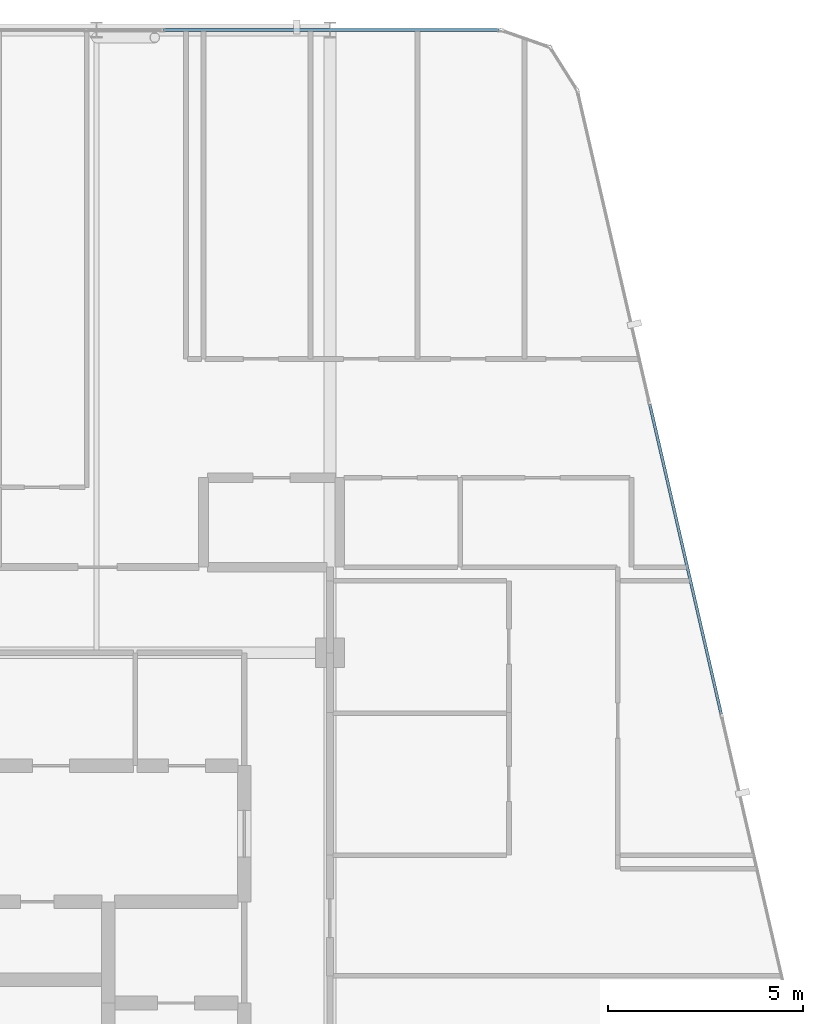
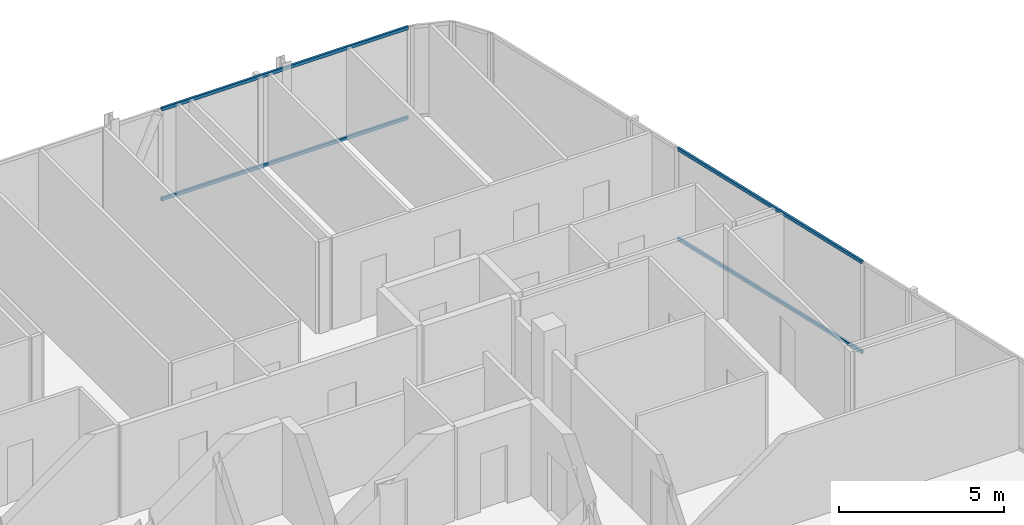
# One storey, part 18 of 28: 4 members, 2 elements without a shape of their own.
"""IFC4 building model written with IfcOpenShell, lengths in metres."""

import ifcopenshell
import ifcopenshell.guid

model = None  # the IFC model being written
_history = None  # IfcOwnerHistory: only IFC2X3 demands one
_inside = {}  # id of a spatial element -> (the spatial element, [elements in it])
_under = {}  # id of a project, library or spatial element -> (it, [spatial elements below it])
_declared = {}  # id of a project -> (the project, [libraries it declares])
_typed = {}  # id of a type object -> (the type object, [elements of that type])
_made_of = {}  # id of a material, layer set ... -> (it, [elements and type objects made of it])


def new_model(schema):
    """Start an empty IFC model of exactly this schema.

    Asked for "IFC4X3", IfcOpenShell would pick the latest addendum, in which some entities
    have other attributes; the version numbers below select the first issue.
    IFC2X3 requires an IfcOwnerHistory on every rooted entity: one is made here for all.
    """
    global model, _history
    if schema == "IFC4X3":
        model = ifcopenshell.file(schema_version=(4, 3, 0, 0))
    else:
        model = ifcopenshell.file(schema=schema)
    _inside.clear()
    _under.clear()
    _declared.clear()
    _typed.clear()
    _made_of.clear()
    _history = None
    if model.schema == "IFC2X3":
        org = make("IfcOrganization", Name="unknown")
        user = make(
            "IfcPersonAndOrganization",
            ThePerson=make("IfcPerson", FamilyName="unknown"),
            TheOrganization=org,
        )
        app = make(
            "IfcApplication",
            ApplicationDeveloper=org,
            Version="unknown",
            ApplicationFullName="unknown",
            ApplicationIdentifier="unknown",
        )
        _history = make(
            "IfcOwnerHistory",
            OwningUser=user,
            OwningApplication=app,
            ChangeAction="ADDED",
            CreationDate=0,
        )
    return model


def make(cls, **values):
    """One entity of the class cls with the attributes given. An attribute that is None is left unset."""
    return model.create_entity(
        cls, **{name: value for name, value in values.items() if value is not None}
    )


def rooted(cls, **values):
    """An entity with a GlobalId (a new one), such as an element, a storey or a relation."""
    return make(cls, GlobalId=ifcopenshell.guid.new(), OwnerHistory=_history, **values)


def si_unit(unit_type, name, prefix=None):
    """IfcSIUnit, for example si_unit("LENGTHUNIT", "METRE", prefix="MILLI")."""
    return make("IfcSIUnit", UnitType=unit_type, Prefix=prefix, Name=name)


def assignment(units):
    """IfcUnitAssignment: the units of a project."""
    return None if units is None else make("IfcUnitAssignment", Units=units)


def point(xyz):
    """IfcCartesianPoint."""
    return None if xyz is None else make("IfcCartesianPoint", Coordinates=xyz)


def direction(xyz):
    """IfcDirection."""
    return None if xyz is None else make("IfcDirection", DirectionRatios=xyz)


def frame(location, z_axis=None, x_axis=None):
    """IfcAxis2Placement3D, a coordinate frame: its origin and axes. An axis left out is left unset."""
    return make(
        "IfcAxis2Placement3D",
        Location=point(location),
        Axis=direction(z_axis),
        RefDirection=direction(x_axis),
    )


def frame_2d(location, x_axis=None):
    """IfcAxis2Placement2D, a coordinate frame in the plane: its origin and x axis."""
    return make(
        "IfcAxis2Placement2D", Location=point(location), RefDirection=direction(x_axis)
    )


def origin():
    """The frame at (0, 0, 0) with its axes left unset."""
    return frame((0.0, 0.0, 0.0))


def origin_2d():
    """The frame at (0, 0) in the plane with its x axis left unset."""
    return frame_2d((0.0, 0.0))


def place(relative_to, where):
    """IfcLocalPlacement: puts the frame where relative to a parent placement (None: the world)."""
    return make(
        "IfcLocalPlacement", PlacementRelTo=relative_to, RelativePlacement=where
    )


def context(
    kind, dimensions, precision=None, world=None, true_north=None, identifier=None
):
    """IfcGeometricRepresentationContext, for example the 3D "Model" context."""
    return make(
        "IfcGeometricRepresentationContext",
        ContextIdentifier=identifier,
        ContextType=kind,
        CoordinateSpaceDimension=dimensions,
        Precision=precision,
        WorldCoordinateSystem=world,
        TrueNorth=true_north,
    )


def subcontext(parent, identifier, kind, view, scale=None):
    """IfcGeometricRepresentationSubContext, for example "Body" below "Model"."""
    return make(
        "IfcGeometricRepresentationSubContext",
        ContextIdentifier=identifier,
        ContextType=kind,
        ParentContext=parent,
        TargetScale=scale,
        TargetView=view,
    )


def project(units=None, contexts=None):
    """IfcProject with its units and contexts."""
    return rooted(
        "IfcProject",
        Name="project",
        RepresentationContexts=contexts,
        UnitsInContext=assignment(units),
    )


def spatial(cls, under=None, at=None, **own):
    """A site, building, storey or space (cls), placed at a placement, below another one or the project."""
    s = rooted(cls, ObjectPlacement=at, **own)
    if under is not None:
        _under.setdefault(under.id(), (under, []))[1].append(s)
    return s


def profile(cls, at=None, kind="AREA", **sizes):
    """A parametric profile (cls). Its sizes go by their IFC names, for example OverallWidth=200.0."""
    return make(cls, ProfileType=kind, Position=at, **sizes)


def hollow_rectangle(**sizes):
    """IfcRectangleHollowProfileDef."""
    return profile("IfcRectangleHollowProfileDef", **sizes)


def extrude(swept, where, along, depth):
    """IfcExtrudedAreaSolid: the profile swept, set in the frame where, extruded along a direction by depth."""
    return make(
        "IfcExtrudedAreaSolid",
        SweptArea=swept,
        Position=where,
        ExtrudedDirection=direction(along),
        Depth=depth,
    )


def shape(context_of_items, identifier, shape_type, items):
    """IfcShapeRepresentation: the items that make up one representation, for example the "Body"."""
    return make(
        "IfcShapeRepresentation",
        ContextOfItems=context_of_items,
        RepresentationIdentifier=identifier,
        RepresentationType=shape_type,
        Items=items,
    )


def material(Name=None, Category=None):
    """IfcMaterial."""
    return make("IfcMaterial", Name=Name, Category=Category)


def layer(
    of_material, thickness, ventilated=None, Name=None, Category=None, Priority=None
):
    """IfcMaterialLayer: one layer of a wall or slab, of a material (None: an air gap)."""
    return make(
        "IfcMaterialLayer",
        Material=of_material,
        LayerThickness=thickness,
        IsVentilated=ventilated,
        Name=Name,
        Category=Category,
        Priority=Priority,
    )


def layer_set(layers, Name=None):
    """IfcMaterialLayerSet."""
    return make("IfcMaterialLayerSet", MaterialLayers=layers, LayerSetName=Name)


def material_profile(
    of_material, cross_section, Name=None, Category=None, Priority=None
):
    """IfcMaterialProfile: a cross section and its material."""
    return make(
        "IfcMaterialProfile",
        Name=Name,
        Material=of_material,
        Profile=cross_section,
        Priority=Priority,
        Category=Category,
    )


def profile_set(profiles, Name=None, composite=None):
    """IfcMaterialProfileSet."""
    return make(
        "IfcMaterialProfileSet",
        Name=Name,
        MaterialProfiles=profiles,
        CompositeProfile=composite,
    )


def made_of(thing, what):
    """Note that an element or type object is made of a material, layer set ...; save() writes the relation."""
    if what is not None:
        _made_of.setdefault(what.id(), (what, []))[1].append(thing)
    return thing


def type_object(cls, material=None, **own):
    """A type object (cls), such as IfcWallType, which elements share."""
    return made_of(rooted(cls, **own), material)


def element(
    cls,
    number,
    at=None,
    inside=None,
    cuts=None,
    type_object=None,
    material=None,
    context=None,
    identifier="Body",
    shape_type=None,
    held_by="IfcProductDefinitionShape",
    body=None,
    shapes=None,
    **own,
):
    """One element of the class cls, such as IfcWall. Its Tag is "e" and its number.

    at: its placement. inside: the storey or other place that contains it. cuts: it is an
    opening in that element (IfcRelVoidsElement). A single representation is given by context,
    identifier, shape_type and body (its items); several are given by shapes. held_by: the class
    of the entity that holds the representations. save() writes the other relations.
    """
    e = rooted(cls, Tag="e%d" % number, ObjectPlacement=at, **own)
    if body is not None:
        shapes = [shape(context, identifier, shape_type, body)]
    if shapes is not None:
        e.Representation = make(held_by, Representations=shapes)
    if inside is not None:
        _inside.setdefault(inside.id(), (inside, []))[1].append(e)
    if cuts is not None:
        rooted(
            "IfcRelVoidsElement", RelatingBuildingElement=cuts, RelatedOpeningElement=e
        )
    if type_object is not None:
        _typed.setdefault(type_object.id(), (type_object, []))[1].append(e)
    return made_of(e, material)


def aggregate(whole, parts):
    """IfcRelAggregates: a whole, such as a stair, and the parts it consists of."""
    return rooted("IfcRelAggregates", RelatingObject=whole, RelatedObjects=parts)


def save(model, path):
    """Write the relations noted so far, then the file.

    IfcRelAggregates (storeys below a building ...), IfcRelContainedInSpatialStructure (elements
    in a storey), IfcRelDefinesByType, IfcRelAssociatesMaterial and IfcRelDeclares: one each for
    every whole, place, type object, material and project.
    """
    for whole, parts in _under.values():
        aggregate(whole, parts)
    for where, things in _inside.values():
        rooted(
            "IfcRelContainedInSpatialStructure",
            RelatedElements=things,
            RelatingStructure=where,
        )
    for kind, things in _typed.values():
        rooted("IfcRelDefinesByType", RelatedObjects=things, RelatingType=kind)
    for what, things in _made_of.values():
        rooted("IfcRelAssociatesMaterial", RelatedObjects=things, RelatingMaterial=what)
    for by, libraries in _declared.values():
        rooted("IfcRelDeclares", RelatingContext=by, RelatedDefinitions=libraries)
    model.write(path)


model = new_model("IFC4")

# Units and contexts
model_context = context("Model", 3, precision=1e-05, world=origin(), true_north=direction((0.0, 1.0)))
body_context = subcontext(model_context, "Body", "Model", "MODEL_VIEW")
ifc_project = project(units=[si_unit("LENGTHUNIT", "METRE"), si_unit("AREAUNIT", "SQUARE_METRE"), si_unit("VOLUMEUNIT", "CUBIC_METRE"), si_unit("PLANEANGLEUNIT", "RADIAN"), si_unit("MASSUNIT", "GRAM", prefix="KILO")], contexts=[model_context])

# Site, building, storey
site_placement = place(None, origin())
site = spatial("IfcSite", under=ifc_project, at=site_placement, CompositionType="ELEMENT")
building_placement = place(site_placement, origin())
building = spatial("IfcBuilding", under=site, at=building_placement, Name="Keshet Zoharim Tower", CompositionType="ELEMENT")
storey_placement = place(building_placement, frame((0.0, 0.0, 258.39990234375)))
storey = spatial("IfcBuildingStorey", under=building, at=storey_placement, Name="L64", CompositionType="ELEMENT", Elevation=258.39990234375)

# Curtain wall, members
ifc_material = material(Name="Aluminium 6063-T6", Category="aluminium")
ifc_layer = layer(ifc_material, 0.260009765625)
ifc_layer_set = layer_set([ifc_layer], Name="Aluminium 6063-T6")
curtain_wall_type = type_object("IfcCurtainWallType", Name="CW-SYS-06", PredefinedType="NOTDEFINED", material=ifc_layer_set)
curtain_wall_1_placement = place(storey_placement, origin())
curtain_wall_1 = element("IfcCurtainWall", 1, at=curtain_wall_1_placement, inside=storey, type_object=curtain_wall_type, Name="L64 Unitised Curtain Wall 06 Part 5", PredefinedType="NOTDEFINED")
ifc_material_profile = material_profile(ifc_material, hollow_rectangle(XDim=0.074951171875, YDim=0.1201171875, WallThickness=0.00390625, at=origin_2d()), Name="TRN-75x120")
ifc_profile_set = profile_set([ifc_material_profile], Name="Aluminium 6063-T6")
member_type = type_object("IfcMemberType", Name="CWT-T12", PredefinedType="USERDEFINED", material=ifc_profile_set)
member_1_placement = place(storey_placement, frame((28.724853515625, 53.89990234375, 0.03515625), z_axis=(1.0, 0.0, 0.0), x_axis=(0.0, 1.0, 0.0)))
member_1 = element("IfcMember", 2, at=member_1_placement, type_object=member_type, Name="CW-06 transom 1.1", ObjectType="TRANSOM", PredefinedType="USERDEFINED", context=body_context, shape_type="SweptSolid", body=[
    extrude(hollow_rectangle(XDim=0.074951171875, YDim=0.1201171875, WallThickness=0.00390625, at=origin_2d()), origin(), (0.0, 0.0, 1.0), 8.6142578125),
])
member_2_placement = place(storey_placement, frame((28.724853515625, 53.89990234375, 3.35498046875), z_axis=(1.0, 0.0, 0.0), x_axis=(0.0, 1.0, 0.0)))
member_2 = element("IfcMember", 3, at=member_2_placement, type_object=member_type, Name="CW-06 transom 1.2", ObjectType="TRANSOM", PredefinedType="USERDEFINED", context=body_context, shape_type="SweptSolid", body=[
    extrude(hollow_rectangle(XDim=0.074951171875, YDim=0.1201171875, WallThickness=0.00390625, at=origin_2d()), origin(), (0.0, 0.0, 1.0), 8.6142578125),
])
aggregate(curtain_wall_1, [member_1, member_2])

curtain_wall_2_placement = place(storey_placement, origin())
curtain_wall_2 = element("IfcCurtainWall", 4, at=curtain_wall_2_placement, inside=storey, type_object=curtain_wall_type, Name="L64 Unitised Curtain Wall 09", PredefinedType="NOTDEFINED")
member_3_placement = place(storey_placement, frame((41.218505859375, 44.28662109375, 0.03515625), z_axis=(0.224826771459, -0.974398749402, 0.0), x_axis=(0.974398749402, 0.224826771459, 0.0)))
member_3 = element("IfcMember", 5, at=member_3_placement, type_object=member_type, Name="CW-06 transom 2.1", ObjectType="TRANSOM", PredefinedType="USERDEFINED", context=body_context, shape_type="SweptSolid", body=[
    extrude(hollow_rectangle(XDim=0.074951171875, YDim=0.1201171875, WallThickness=0.00390625, at=origin_2d()), origin(), (0.0, 0.0, 1.0), 8.17041015625),
])
member_4_placement = place(storey_placement, frame((41.218505859375, 44.28662109375, 3.35498046875), z_axis=(0.224826771459, -0.974398749402, 0.0), x_axis=(0.974398749402, 0.224826771459, 0.0)))
member_4 = element("IfcMember", 6, at=member_4_placement, type_object=member_type, Name="CW-06 transom 2.2", ObjectType="TRANSOM", PredefinedType="USERDEFINED", context=body_context, shape_type="SweptSolid", body=[
    extrude(hollow_rectangle(XDim=0.074951171875, YDim=0.1201171875, WallThickness=0.00390625, at=origin_2d()), origin(), (0.0, 0.0, 1.0), 8.17041015625),
])
aggregate(curtain_wall_2, [member_3, member_4])

save(model, "model.ifc")
